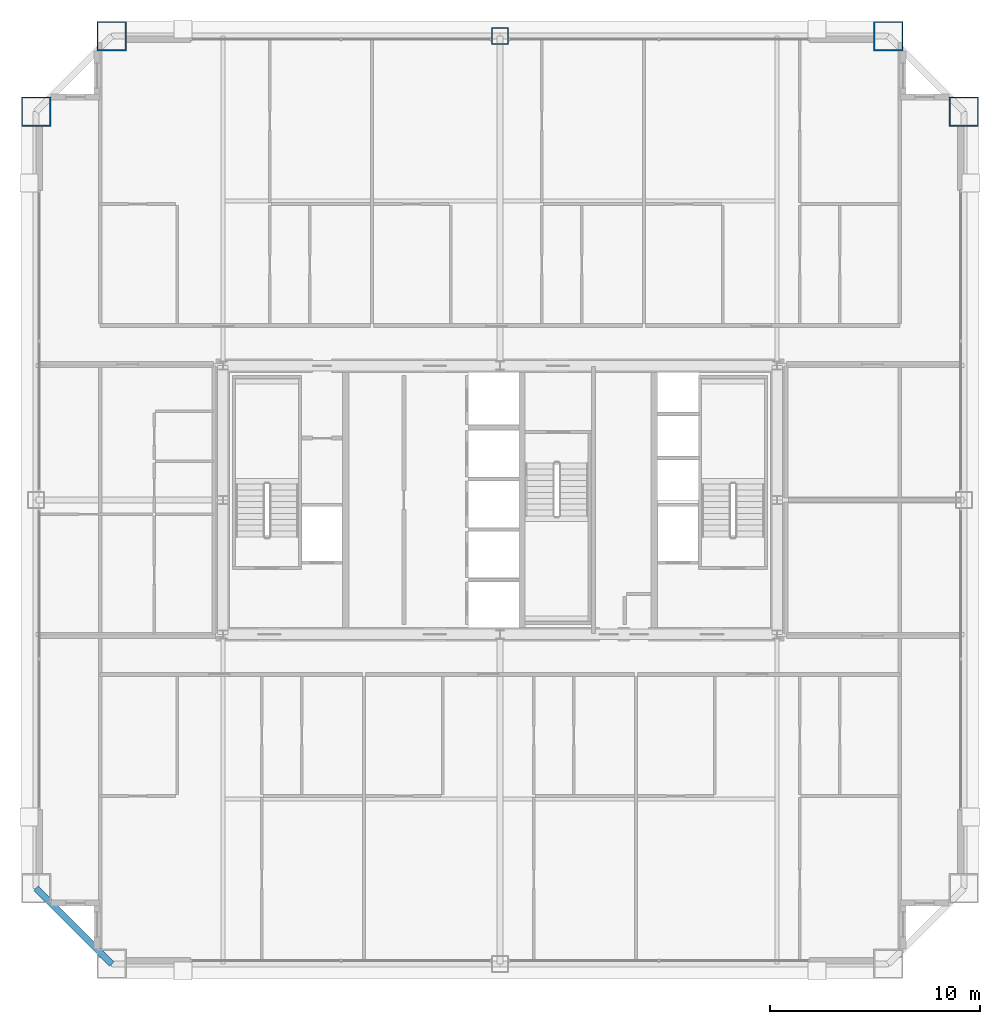
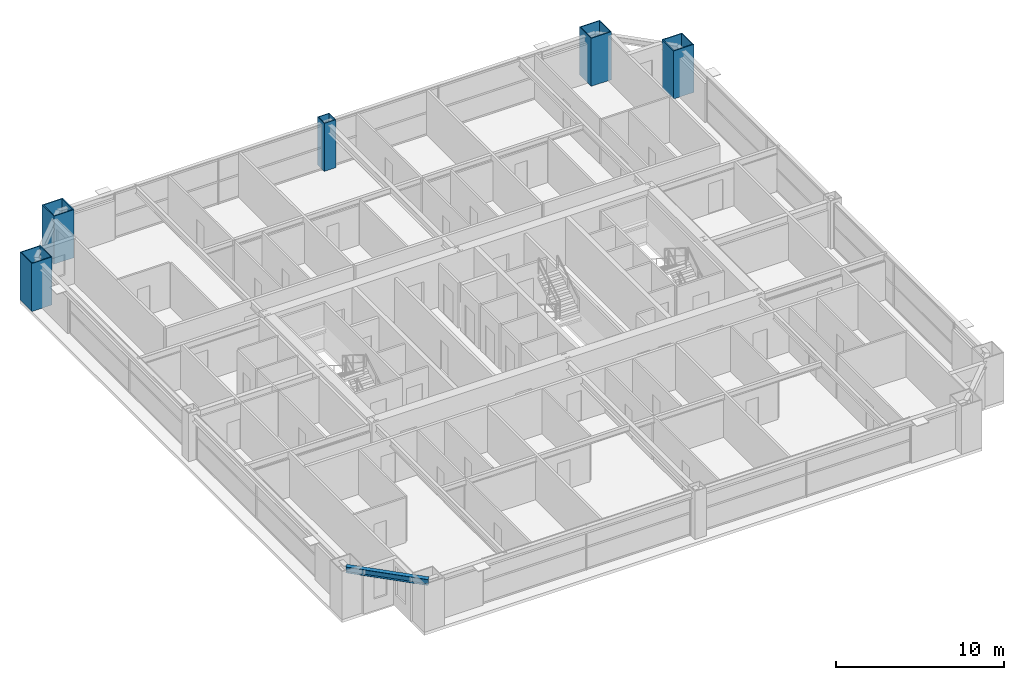
# One storey, part 3 of 38: 5 columns, 1 beam.
"""IFC4 building model written with IfcOpenShell, lengths in metres."""

from ifc_helpers import new_model, si_unit, direction, frame, origin, origin_2d, place, context, subcontext, project, spatial, hollow_rectangle, i_section, extrude, source, transform, mapped, material, material_profile, profile_set, type_object, element, save


model = new_model("IFC4")

# Units and contexts
model_context = context("Model", 3, precision=1e-05, world=origin(), true_north=direction((0.0, 1.0)))
body_context = subcontext(model_context, "Body", "Model", "MODEL_VIEW")
ifc_project = project(units=[si_unit("LENGTHUNIT", "METRE"), si_unit("AREAUNIT", "SQUARE_METRE"), si_unit("VOLUMEUNIT", "CUBIC_METRE"), si_unit("PLANEANGLEUNIT", "RADIAN"), si_unit("MASSUNIT", "GRAM", prefix="KILO"), si_unit("THERMODYNAMICTEMPERATUREUNIT", "KELVIN"), si_unit("POWERUNIT", "WATT")], contexts=[model_context])

# Site, building, storey
site_placement = place(None, origin())
site = spatial("IfcSite", under=ifc_project, at=site_placement, CompositionType="ELEMENT")
building_placement = place(site_placement, origin())
building = spatial("IfcBuilding", under=site, at=building_placement, Name="Yuzanri Waterfront Tower", CompositionType="ELEMENT")
storey_placement = place(building_placement, frame((0.0, 0.0, 202.0)))
storey = spatial("IfcBuildingStorey", under=building, at=storey_placement, Name="L53", CompositionType="ELEMENT", Elevation=202.0)

# Columns
ifc_material_1 = material(Name="Steel Q420GJC", Category="steel")
ifc_material_profile_1 = material_profile(ifc_material_1, hollow_rectangle(XDim=1.39990234375, YDim=1.39990234375, WallThickness=0.06005859375, at=origin_2d()), Name="RHS 1400x1400x60")
ifc_profile_set_1 = profile_set([ifc_material_profile_1], Name="Steel Q420GJC")
column_type_1 = type_object("IfcColumnType", Name="Mega Column Q420GJC RHS 1400x1400x60", PredefinedType="COLUMN", material=ifc_profile_set_1)
shared_shape_1 = source(origin(), body_context, "Body", "SweptSolid", [
    extrude(hollow_rectangle(XDim=1.39990234375, YDim=1.39990234375, WallThickness=0.06005859375, at=origin_2d()), origin(), (0.0, 0.0, 1.0), 3.5),
])
for number, where, z_axis, x_axis, name in (
    (1, (18.5, 47.89990234375, 0.0), (0.0, 0.0, 1.0), (1.0, 0.0, 0.0), "L53 Perimeter Mega Column N1"),
    (2, (55.5, 47.89990234375, 0.0), (0.0, 0.0, 1.0), (1.0, 0.0, 0.0), "L53 Perimeter Mega Column N3"),
    (3, (14.89990234375, 44.300048828125, 0.0), (0.0, 0.0, 1.0), (1.0, 0.0, 0.0), "L53 Perimeter Mega Column W3"),
    (4, (59.10009765625, 44.300048828125, 0.0), (0.0, 0.0, 1.0), (1.0, 0.0, 0.0), "L53 Perimeter Mega Column E3"),
):
    element("IfcColumn", number, at=place(storey_placement, frame(where, z_axis=z_axis, x_axis=x_axis)), inside=storey, type_object=column_type_1, Name=name, PredefinedType="COLUMN", context=body_context, shape_type="MappedRepresentation", body=[
        mapped(shared_shape_1, transform((0.0, 0.0, 0.0), scale=1.0)),
    ])
ifc_material_2 = material(Name="Steel Q390GJC", Category="steel")
ifc_material_profile_2 = material_profile(ifc_material_2, hollow_rectangle(XDim=0.800048828125, YDim=0.800048828125, WallThickness=0.035888671875, at=origin_2d()), Name="RHS 800x800x36")
ifc_profile_set_2 = profile_set([ifc_material_profile_2], Name="Steel Q390GJC")
column_type_2 = type_object("IfcColumnType", Name="Frame Column Q390GJC RHS 800x800x36", PredefinedType="COLUMN", material=ifc_profile_set_2)
shared_shape_2 = source(origin(), body_context, "Body", "SweptSolid", [
    extrude(hollow_rectangle(XDim=0.800048828125, YDim=0.800048828125, WallThickness=0.035888671875, at=origin_2d()), origin(), (0.0, 0.0, 1.0), 3.5),
])
column_placement = place(storey_placement, frame((37.0, 47.89990234375, 0.0), z_axis=(0.0, 0.0, 1.0), x_axis=(1.0, 0.0, 0.0)))
element("IfcColumn", 5, at=column_placement, inside=storey, type_object=column_type_2, Name="L53 Perimeter Frame Column N2", PredefinedType="COLUMN", context=body_context, shape_type="MappedRepresentation", body=[
    mapped(shared_shape_2, transform((0.0, 0.0, 0.0), scale=1.0)),
])

# Beam
ifc_material_3 = material(Name="Steel Q355B", Category="steel")
ifc_material_profile_3 = material_profile(ifc_material_3, i_section(OverallWidth=0.300048828125, OverallDepth=0.43994140625, WebThickness=0.010986328125, FlangeThickness=0.01806640625, at=origin_2d()), Name="HM 440x300x11x18")
ifc_profile_set_3 = profile_set([ifc_material_profile_3], Name="Steel Q355B")
beam_type = type_object("IfcBeamType", Name="Perimeter Spandrel Q355B HM 440x300", PredefinedType="SPANDREL", material=ifc_profile_set_3)
shared_shape_3 = source(origin(), body_context, "Body", "SweptSolid", [
    extrude(i_section(OverallWidth=0.300048828125, OverallDepth=0.43994140625, WebThickness=0.010986328125, FlangeThickness=0.01806640625, at=origin_2d()), origin(), (0.0, 0.0, 1.0), 5.09130859375),
])
beam_placement = place(storey_placement, frame((14.89990234375, 7.300048828125, 3.06005859375), z_axis=(0.707106781187, -0.707106781187, 0.0), x_axis=(0.707106781187, 0.707106781187, 0.0)))
element("IfcBeam", 6, at=beam_placement, inside=storey, type_object=beam_type, Name="L53 Perimeter Spandrel W1-S1", PredefinedType="SPANDREL", context=body_context, shape_type="MappedRepresentation", body=[
    mapped(shared_shape_3, transform((0.0, 0.0, 0.0), scale=1.0)),
])

save(model, "model.ifc")
